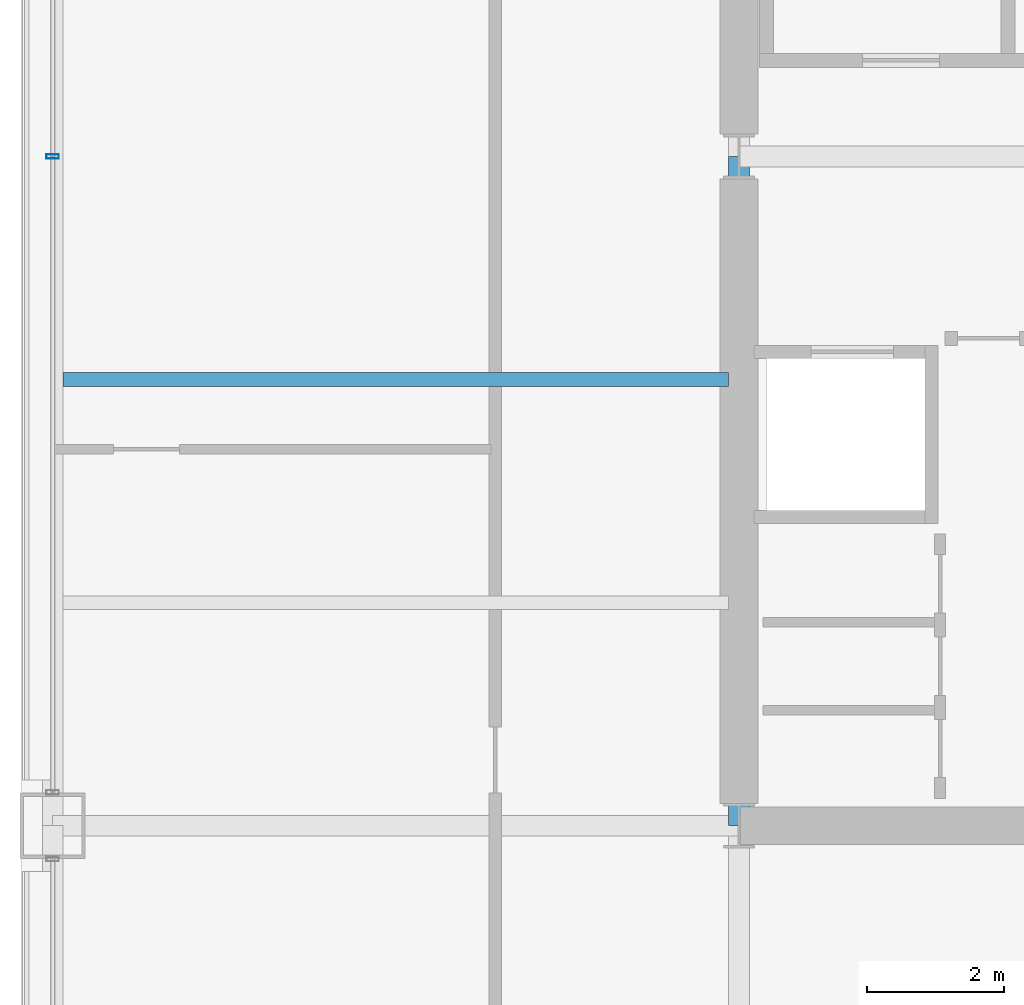
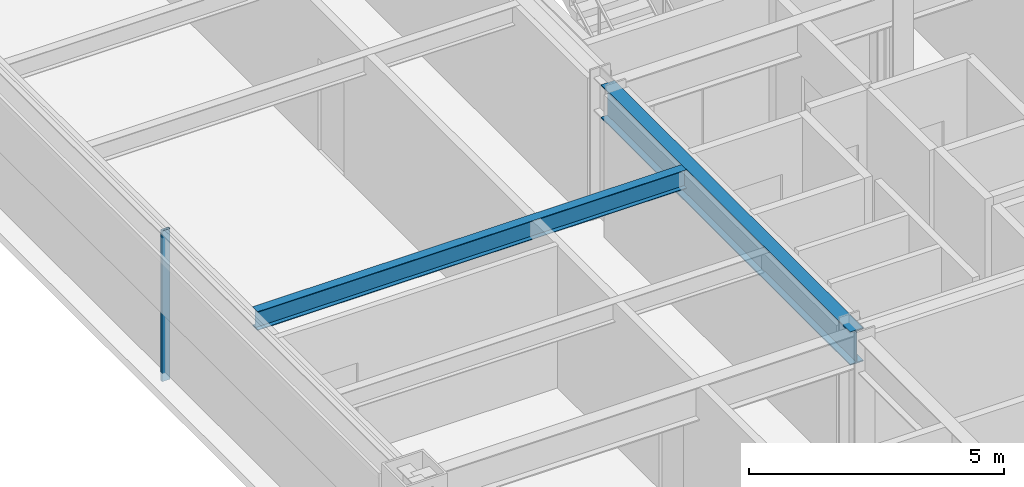
# One storey, part 7 of 31: 2 beams, 1 member, 1 element without a shape of its own.
"""IFC4 building model written with IfcOpenShell, lengths in metres."""

from ifc_helpers import new_model, si_unit, direction, frame, origin, origin_2d, place, context, subcontext, project, spatial, hollow_rectangle, i_section, extrude, material, layer, layer_set, material_profile, profile_set, type_object, element, aggregate, save


model = new_model("IFC4")

# Units and contexts
model_context = context("Model", 3, precision=1e-05, world=origin(), true_north=direction((0.0, 1.0)))
body_context = subcontext(model_context, "Body", "Model", "MODEL_VIEW")
ifc_project = project(units=[si_unit("LENGTHUNIT", "METRE"), si_unit("AREAUNIT", "SQUARE_METRE"), si_unit("VOLUMEUNIT", "CUBIC_METRE"), si_unit("PLANEANGLEUNIT", "RADIAN"), si_unit("MASSUNIT", "GRAM", prefix="KILO")], contexts=[model_context])

# Site, building, storey
site_placement = place(None, origin())
site = spatial("IfcSite", under=ifc_project, at=site_placement, CompositionType="ELEMENT")
building_placement = place(site_placement, origin())
building = spatial("IfcBuilding", under=site, at=building_placement, Name="Brelmoor Portico Tower", CompositionType="ELEMENT")
storey_placement = place(building_placement, frame((0.0, 0.0, 42.0)))
storey = spatial("IfcBuildingStorey", under=building, at=storey_placement, Name="L10", CompositionType="ELEMENT", Elevation=42.0)

# Beams
ifc_material_1 = material(Name="Steel Q355B", Category="steel")
ifc_material_profile_1 = material_profile(ifc_material_1, i_section(OverallWidth=0.199951171875, OverallDepth=0.449951171875, WebThickness=0.009033203125, FlangeThickness=0.013916015625, at=origin_2d()), Name="HN 450x200x9x14")
ifc_profile_set_1 = profile_set([ifc_material_profile_1], Name="Steel Q355B")
beam_type_1 = type_object("IfcBeamType", Name="BM-JS-450", PredefinedType="JOIST", material=ifc_profile_set_1)
beam_1_placement = place(storey_placement, frame((-24.39990234375, -3.25, 3.175048828125), z_axis=(1.0, 0.0, 0.0), x_axis=(0.0, 1.0, 0.0)))
element("IfcBeam", 1, at=beam_1_placement, inside=storey, type_object=beam_type_1, Name="L10 Secondary Wing Joist JS-W06", PredefinedType="JOIST", context=body_context, shape_type="SweptSolid", body=[
    extrude(i_section(OverallWidth=0.199951171875, OverallDepth=0.449951171875, WebThickness=0.009033203125, FlangeThickness=0.013916015625, at=origin_2d()), origin(), (0.0, 0.0, 1.0), 9.699951171875),
])
ifc_material_profile_2 = material_profile(ifc_material_1, i_section(OverallWidth=0.300048828125, OverallDepth=0.800048828125, WebThickness=0.013916015625, FlangeThickness=0.02587890625, at=origin_2d()), Name="HN 800x300x14x26")
ifc_profile_set_2 = profile_set([ifc_material_profile_2], Name="Steel Q355B")
beam_type_2 = type_object("IfcBeamType", Name="BM-PG-800", PredefinedType="BEAM", material=ifc_profile_set_2)
beam_2_placement = place(storey_placement, frame((-14.550048828125, -9.75, 3.0), z_axis=(0.0, 1.0, 0.0), x_axis=(-1.0, 0.0, 0.0)))
element("IfcBeam", 2, at=beam_2_placement, inside=storey, type_object=beam_type_2, Name="L10 Primary Floor Girder PG-04", PredefinedType="BEAM", context=body_context, shape_type="SweptSolid", body=[
    extrude(i_section(OverallWidth=0.300048828125, OverallDepth=0.800048828125, WebThickness=0.013916015625, FlangeThickness=0.02587890625, at=origin_2d()), origin(), (0.0, 0.0, 1.0), 9.75),
])

# Curtain wall, member
ifc_material_2 = material(Name="Anodised Aluminium Alloy 6063-T6", Category="aluminium")
ifc_layer = layer(ifc_material_2, 0.179931640625)
ifc_layer_set = layer_set([ifc_layer], Name="Anodised Aluminium Alloy 6063-T6")
curtain_wall_type = type_object("IfcCurtainWallType", Name="CW-TOWER-Z1-XB", PredefinedType="NOTDEFINED", material=ifc_layer_set)
curtain_wall_placement = place(storey_placement, origin())
curtain_wall = element("IfcCurtainWall", 3, at=curtain_wall_placement, inside=storey, type_object=curtain_wall_type, Name="L10 Curtain Wall CW-L10-03-2", PredefinedType="NOTDEFINED")
ifc_material_profile_3 = material_profile(ifc_material_2, hollow_rectangle(XDim=0.06494140625, YDim=0.179931640625, WallThickness=0.00390625, at=origin_2d()), Name="ALU MULLION 65x180")
ifc_profile_set_3 = profile_set([ifc_material_profile_3], Name="Anodised Aluminium Alloy 6063-T6")
member_type = type_object("IfcMemberType", Name="MB-CW-MULL-180", PredefinedType="MULLION", material=ifc_profile_set_3)
member_placement = place(storey_placement, frame((-24.550048828125, 0.0, -0.199951171875), z_axis=(0.0, 0.0, 1.0), x_axis=(0.0, 1.0, 0.0)))
member = element("IfcMember", 4, at=member_placement, type_object=member_type, Name="CW-L10-03-2 Mullion 01", PredefinedType="MULLION", context=body_context, shape_type="SweptSolid", body=[
    extrude(hollow_rectangle(XDim=0.06494140625, YDim=0.179931640625, WallThickness=0.00390625, at=origin_2d()), origin(), (0.0, 0.0, 1.0), 3.599853515625),
])
aggregate(curtain_wall, [member])

save(model, "model.ifc")
